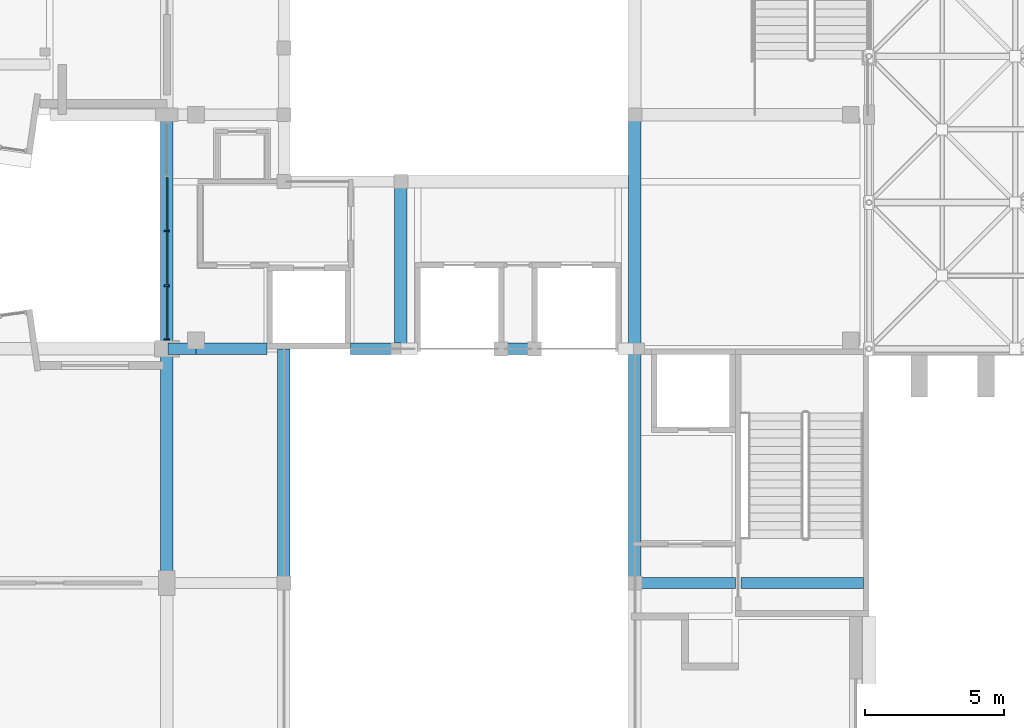
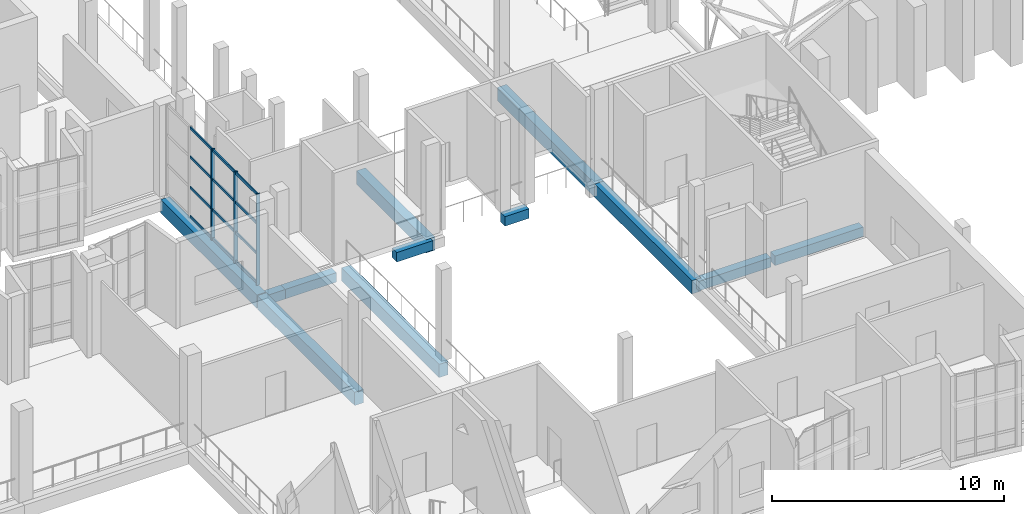
# One storey, part 6 of 100: 15 members, 12 beams, 1 element without a shape of its own.
"""IFC4 building model written with IfcOpenShell, lengths in metres."""

from ifc_helpers import new_model, si_unit, direction, frame, origin, origin_2d, place, context, subcontext, project, spatial, rectangle, extrude, material, layer, layer_set, material_profile, profile_set, type_object, element, aggregate, save


model = new_model("IFC4")

# Units and contexts
model_context = context("Model", 3, precision=1e-05, world=origin(), true_north=direction((0.0, 1.0)))
body_context = subcontext(model_context, "Body", "Model", "MODEL_VIEW")
ifc_project = project(units=[si_unit("LENGTHUNIT", "METRE"), si_unit("AREAUNIT", "SQUARE_METRE"), si_unit("VOLUMEUNIT", "CUBIC_METRE"), si_unit("PLANEANGLEUNIT", "RADIAN"), si_unit("MASSUNIT", "GRAM", prefix="KILO")], contexts=[model_context])

# Site, building, storey
site_placement = place(None, origin())
site = spatial("IfcSite", under=ifc_project, at=site_placement, CompositionType="ELEMENT")
building_placement = place(site_placement, origin())
building = spatial("IfcBuilding", under=site, at=building_placement, Name="Kiln Court Media Centre", CompositionType="ELEMENT")
storey_placement = place(building_placement, frame((0.0, 0.0, 15.0)))
storey = spatial("IfcBuildingStorey", under=building, at=storey_placement, Name="L03", CompositionType="ELEMENT", Elevation=15.0)

# Curtain wall, members
ifc_material_1 = material(Name="Aluminium 6063-T6", Category="aluminium")
ifc_layer = layer(ifc_material_1, 0.1201171875)
ifc_layer_set = layer_set([ifc_layer], Name="Aluminium stick curtain wall, gallery")
curtain_wall_type = type_object("IfcCurtainWallType", Name="Aluminium stick curtain wall, gallery", PredefinedType="USERDEFINED", material=ifc_layer_set)
curtain_wall_placement = place(storey_placement, origin())
curtain_wall = element("IfcCurtainWall", 1, at=curtain_wall_placement, inside=storey, type_object=curtain_wall_type, Name="Foyer west glazing L03", ObjectType="STICK CURTAIN WALL", PredefinedType="USERDEFINED")
ifc_material_2 = material(Name="Aluminium 6063-T6", Category="aluminium")
ifc_material_profile_1 = material_profile(ifc_material_2, rectangle(XDim=0.06005859375, YDim=0.179931640625, at=origin_2d()), Name="Aluminium hall mullion 60x180")
ifc_profile_set_1 = profile_set([ifc_material_profile_1], Name="Aluminium 6063-T6")
member_type_1 = type_object("IfcMemberType", Name="Aluminium hall mullion 60x180", PredefinedType="MULLION", material=ifc_profile_set_1)
member_1_placement = place(storey_placement, frame((33.60009765625, 25.530029296875, 0.0), z_axis=(0.0, 0.0, 1.0), x_axis=(0.0, 1.0, 0.0)))
member_1 = element("IfcMember", 2, at=member_1_placement, type_object=member_type_1, Name="CW3-62 mullion 1", PredefinedType="MULLION", context=body_context, shape_type="SweptSolid", body=[
    extrude(rectangle(XDim=0.06005859375, YDim=0.179931640625, at=origin_2d()), origin(), (0.0, 0.0, 1.0), 4.800048828125),
])
member_2_placement = place(storey_placement, frame((33.60009765625, 27.46240234375, 0.0), z_axis=(0.0, 0.0, 1.0), x_axis=(0.0, 1.0, 0.0)))
member_2 = element("IfcMember", 3, at=member_2_placement, type_object=member_type_1, Name="CW3-62 mullion 2", PredefinedType="MULLION", context=body_context, shape_type="SweptSolid", body=[
    extrude(rectangle(XDim=0.06005859375, YDim=0.179931640625, at=origin_2d()), origin(), (0.0, 0.0, 1.0), 4.800048828125),
])
member_3_placement = place(storey_placement, frame((33.60009765625, 29.425048828125, 0.0), z_axis=(0.0, 0.0, 1.0), x_axis=(0.0, 1.0, 0.0)))
member_3 = element("IfcMember", 4, at=member_3_placement, type_object=member_type_1, Name="CW3-62 mullion 3", PredefinedType="MULLION", context=body_context, shape_type="SweptSolid", body=[
    extrude(rectangle(XDim=0.06005859375, YDim=0.179931640625, at=origin_2d()), origin(), (0.0, 0.0, 1.0), 4.800048828125),
])
ifc_material_3 = material(Name="Aluminium 6063-T6", Category="aluminium")
ifc_material_profile_2 = material_profile(ifc_material_3, rectangle(XDim=0.06005859375, YDim=0.139892578125, at=origin_2d()), Name="Aluminium hall transom 60x140")
ifc_profile_set_2 = profile_set([ifc_material_profile_2], Name="Aluminium 6063-T6")
member_type_2 = type_object("IfcMemberType", Name="Aluminium hall transom 60x140", PredefinedType="USERDEFINED", material=ifc_profile_set_2)
member_4_placement = place(storey_placement, frame((33.60009765625, 25.56005859375, 0.070068359375), z_axis=(0.0, 1.0, 0.0), x_axis=(-1.0, 0.0, 0.0)))
member_4 = element("IfcMember", 5, at=member_4_placement, type_object=member_type_2, Name="CW3-62 transom 1.1", ObjectType="TRANSOM", PredefinedType="USERDEFINED", context=body_context, shape_type="SweptSolid", body=[
    extrude(rectangle(XDim=0.06005859375, YDim=0.139892578125, at=origin_2d()), origin(), (0.0, 0.0, 1.0), 1.87255859375),
])
member_5_placement = place(storey_placement, frame((33.60009765625, 25.56005859375, 1.60009765625), z_axis=(0.0, 1.0, 0.0), x_axis=(-1.0, 0.0, 0.0)))
member_5 = element("IfcMember", 6, at=member_5_placement, type_object=member_type_2, Name="CW3-62 transom 1.2", ObjectType="TRANSOM", PredefinedType="USERDEFINED", context=body_context, shape_type="SweptSolid", body=[
    extrude(rectangle(XDim=0.06005859375, YDim=0.139892578125, at=origin_2d()), origin(), (0.0, 0.0, 1.0), 1.87255859375),
])
member_6_placement = place(storey_placement, frame((33.60009765625, 25.56005859375, 3.199951171875), z_axis=(0.0, 1.0, 0.0), x_axis=(-1.0, 0.0, 0.0)))
member_6 = element("IfcMember", 7, at=member_6_placement, type_object=member_type_2, Name="CW3-62 transom 1.3", ObjectType="TRANSOM", PredefinedType="USERDEFINED", context=body_context, shape_type="SweptSolid", body=[
    extrude(rectangle(XDim=0.06005859375, YDim=0.139892578125, at=origin_2d()), origin(), (0.0, 0.0, 1.0), 1.87255859375),
])
member_7_placement = place(storey_placement, frame((33.60009765625, 25.56005859375, 4.72998046875), z_axis=(0.0, 1.0, 0.0), x_axis=(-1.0, 0.0, 0.0)))
member_7 = element("IfcMember", 8, at=member_7_placement, type_object=member_type_2, Name="CW3-62 transom 1.4", ObjectType="TRANSOM", PredefinedType="USERDEFINED", context=body_context, shape_type="SweptSolid", body=[
    extrude(rectangle(XDim=0.06005859375, YDim=0.139892578125, at=origin_2d()), origin(), (0.0, 0.0, 1.0), 1.87255859375),
])
member_8_placement = place(storey_placement, frame((33.60009765625, 27.492431640625, 0.070068359375), z_axis=(0.0, 1.0, 0.0), x_axis=(-1.0, 0.0, 0.0)))
member_8 = element("IfcMember", 9, at=member_8_placement, type_object=member_type_2, Name="CW3-62 transom 2.1", ObjectType="TRANSOM", PredefinedType="USERDEFINED", context=body_context, shape_type="SweptSolid", body=[
    extrude(rectangle(XDim=0.06005859375, YDim=0.139892578125, at=origin_2d()), origin(), (0.0, 0.0, 1.0), 1.902587890625),
])
member_9_placement = place(storey_placement, frame((33.60009765625, 27.492431640625, 1.60009765625), z_axis=(0.0, 1.0, 0.0), x_axis=(-1.0, 0.0, 0.0)))
member_9 = element("IfcMember", 10, at=member_9_placement, type_object=member_type_2, Name="CW3-62 transom 2.2", ObjectType="TRANSOM", PredefinedType="USERDEFINED", context=body_context, shape_type="SweptSolid", body=[
    extrude(rectangle(XDim=0.06005859375, YDim=0.139892578125, at=origin_2d()), origin(), (0.0, 0.0, 1.0), 1.902587890625),
])
member_10_placement = place(storey_placement, frame((33.60009765625, 27.492431640625, 3.199951171875), z_axis=(0.0, 1.0, 0.0), x_axis=(-1.0, 0.0, 0.0)))
member_10 = element("IfcMember", 11, at=member_10_placement, type_object=member_type_2, Name="CW3-62 transom 2.3", ObjectType="TRANSOM", PredefinedType="USERDEFINED", context=body_context, shape_type="SweptSolid", body=[
    extrude(rectangle(XDim=0.06005859375, YDim=0.139892578125, at=origin_2d()), origin(), (0.0, 0.0, 1.0), 1.902587890625),
])
member_11_placement = place(storey_placement, frame((33.60009765625, 27.492431640625, 4.72998046875), z_axis=(0.0, 1.0, 0.0), x_axis=(-1.0, 0.0, 0.0)))
member_11 = element("IfcMember", 12, at=member_11_placement, type_object=member_type_2, Name="CW3-62 transom 2.4", ObjectType="TRANSOM", PredefinedType="USERDEFINED", context=body_context, shape_type="SweptSolid", body=[
    extrude(rectangle(XDim=0.06005859375, YDim=0.139892578125, at=origin_2d()), origin(), (0.0, 0.0, 1.0), 1.902587890625),
])
member_12_placement = place(storey_placement, frame((33.60009765625, 29.455078125, 0.070068359375), z_axis=(0.0, 1.0, 0.0), x_axis=(-1.0, 0.0, 0.0)))
member_12 = element("IfcMember", 13, at=member_12_placement, type_object=member_type_2, Name="CW3-62 transom 3.1", ObjectType="TRANSOM", PredefinedType="USERDEFINED", context=body_context, shape_type="SweptSolid", body=[
    extrude(rectangle(XDim=0.06005859375, YDim=0.139892578125, at=origin_2d()), origin(), (0.0, 0.0, 1.0), 1.90234375),
])
member_13_placement = place(storey_placement, frame((33.60009765625, 29.455078125, 1.60009765625), z_axis=(0.0, 1.0, 0.0), x_axis=(-1.0, 0.0, 0.0)))
member_13 = element("IfcMember", 14, at=member_13_placement, type_object=member_type_2, Name="CW3-62 transom 3.2", ObjectType="TRANSOM", PredefinedType="USERDEFINED", context=body_context, shape_type="SweptSolid", body=[
    extrude(rectangle(XDim=0.06005859375, YDim=0.139892578125, at=origin_2d()), origin(), (0.0, 0.0, 1.0), 1.90234375),
])
member_14_placement = place(storey_placement, frame((33.60009765625, 29.455078125, 3.199951171875), z_axis=(0.0, 1.0, 0.0), x_axis=(-1.0, 0.0, 0.0)))
member_14 = element("IfcMember", 15, at=member_14_placement, type_object=member_type_2, Name="CW3-62 transom 3.3", ObjectType="TRANSOM", PredefinedType="USERDEFINED", context=body_context, shape_type="SweptSolid", body=[
    extrude(rectangle(XDim=0.06005859375, YDim=0.139892578125, at=origin_2d()), origin(), (0.0, 0.0, 1.0), 1.90234375),
])
member_15_placement = place(storey_placement, frame((33.60009765625, 29.455078125, 4.72998046875), z_axis=(0.0, 1.0, 0.0), x_axis=(-1.0, 0.0, 0.0)))
member_15 = element("IfcMember", 16, at=member_15_placement, type_object=member_type_2, Name="CW3-62 transom 3.4", ObjectType="TRANSOM", PredefinedType="USERDEFINED", context=body_context, shape_type="SweptSolid", body=[
    extrude(rectangle(XDim=0.06005859375, YDim=0.139892578125, at=origin_2d()), origin(), (0.0, 0.0, 1.0), 1.90234375),
])
aggregate(curtain_wall, [member_1, member_2, member_3, member_4, member_5, member_6, member_7, member_8, member_9, member_10, member_11, member_12, member_13, member_14, member_15])

# Beams
ifc_material_4 = material(Name="Concrete C30/37", Category="concrete")
ifc_material_profile_3 = material_profile(ifc_material_4, rectangle(XDim=0.39990234375, YDim=0.5, at=origin_2d()), Name="RC 400x500")
ifc_profile_set_3 = profile_set([ifc_material_profile_3], Name="Concrete C30/37")
beam_type_1 = type_object("IfcBeamType", Name="Concrete C30/37 beam 400x500", PredefinedType="BEAM", material=ifc_profile_set_3)
beam_1_placement = place(storey_placement, frame((50.39990234375, 16.800048828125, -0.550048828125), z_axis=(1.0, 0.0, 0.0), x_axis=(0.0, 1.0, 0.0)))
element("IfcBeam", 17, at=beam_1_placement, inside=storey, type_object=beam_type_1, Name="L03-B-1041", PredefinedType="BEAM", context=body_context, shape_type="SweptSolid", body=[
    extrude(rectangle(XDim=0.39990234375, YDim=0.5, at=origin_2d()), origin(), (0.0, 0.0, 1.0), 3.60009765625),
])
beam_2_placement = place(storey_placement, frame((54.199951171875, 16.800048828125, -0.550048828125), z_axis=(1.0, 0.0, 0.0), x_axis=(0.0, 1.0, 0.0)))
element("IfcBeam", 18, at=beam_2_placement, inside=storey, type_object=beam_type_1, Name="L03-B-1042", PredefinedType="BEAM", context=body_context, shape_type="SweptSolid", body=[
    extrude(rectangle(XDim=0.39990234375, YDim=0.5, at=origin_2d()), origin(), (0.0, 0.0, 1.0), 4.400146484375),
])
beam_3_placement = place(storey_placement, frame((33.64990234375, 25.199951171875, -0.550048828125), z_axis=(1.0, 0.0, 0.0), x_axis=(0.0, 1.0, 0.0)))
element("IfcBeam", 19, at=beam_3_placement, inside=storey, type_object=beam_type_1, Name="L03-B-1043", PredefinedType="BEAM", context=body_context, shape_type="SweptSolid", body=[
    extrude(rectangle(XDim=0.39990234375, YDim=0.5, at=origin_2d()), origin(), (0.0, 0.0, 1.0), 1.0),
])
beam_4_placement = place(storey_placement, frame((34.64990234375, 25.199951171875, -0.550048828125), z_axis=(1.0, 0.0, 0.0), x_axis=(0.0, 1.0, 0.0)))
element("IfcBeam", 20, at=beam_4_placement, inside=storey, type_object=beam_type_1, Name="L03-B-1044", PredefinedType="BEAM", context=body_context, shape_type="SweptSolid", body=[
    extrude(rectangle(XDim=0.39990234375, YDim=0.5, at=origin_2d()), origin(), (0.0, 0.0, 1.0), 2.550048828125),
])
beam_5_placement = place(storey_placement, frame((40.199951171875, 25.199951171875, -0.550048828125), z_axis=(1.0, 0.0, 0.0), x_axis=(0.0, 1.0, 0.0)))
element("IfcBeam", 21, at=beam_5_placement, inside=storey, type_object=beam_type_1, Name="L03-B-1073", PredefinedType="BEAM", context=body_context, shape_type="SweptSolid", body=[
    extrude(rectangle(XDim=0.39990234375, YDim=0.5, at=origin_2d()), origin(), (0.0, 0.0, 1.0), 1.800048828125),
])
beam_6_placement = place(storey_placement, frame((45.59912109375, 25.199951171875, -0.550048828125), z_axis=(1.0, 0.0, 0.0), x_axis=(0.0, 1.0, 0.0)))
element("IfcBeam", 22, at=beam_6_placement, inside=storey, type_object=beam_type_1, Name="L03-B-1075", PredefinedType="BEAM", context=body_context, shape_type="SweptSolid", body=[
    extrude(rectangle(XDim=0.39990234375, YDim=0.5, at=origin_2d()), origin(), (0.0, 0.0, 1.0), 1.201904296875),
])
ifc_material_5 = material(Name="Concrete C30/37", Category="concrete")
ifc_material_profile_4 = material_profile(ifc_material_5, rectangle(XDim=0.449951171875, YDim=0.699951171875, at=origin_2d()), Name="RC 450x700")
ifc_profile_set_4 = profile_set([ifc_material_profile_4], Name="Concrete C30/37")
beam_type_2 = type_object("IfcBeamType", Name="Concrete C30/37 beam 450x700", PredefinedType="BEAM", material=ifc_profile_set_4)
for number, where, z_axis, x_axis, name in (
    (23, (33.60009765625, 16.800048828125, -0.64990234375), (0.0, 1.0, 0.0), (-1.0, 0.0, 0.0), "L03-B-1009"),
    (24, (50.39990234375, 16.800048828125, -0.64990234375), (0.0, 1.0, 0.0), (-1.0, 0.0, 0.0), "L03-B-1031"),
    (25, (37.800048828125, 25.199951171875, -0.64990234375), (0.0, -1.0, 0.0), (1.0, 0.0, 0.0), "L03-B-1045"),
):
    element("IfcBeam", number, at=place(storey_placement, frame(where, z_axis=z_axis, x_axis=x_axis)), inside=storey, type_object=beam_type_2, Name=name, PredefinedType="BEAM", context=body_context, shape_type="SweptSolid", body=[
        extrude(rectangle(XDim=0.449951171875, YDim=0.699951171875, at=origin_2d()), origin(), (0.0, 0.0, 1.0), 8.39990234375),
    ])
beam_7_placement = place(storey_placement, frame((33.60009765625, 25.25, -0.64990234375), z_axis=(0.0, 1.0, 0.0), x_axis=(-1.0, 0.0, 0.0)))
element("IfcBeam", 26, at=beam_7_placement, inside=storey, type_object=beam_type_2, Name="L03-B-1066", PredefinedType="BEAM", context=body_context, shape_type="SweptSolid", body=[
    extrude(rectangle(XDim=0.449951171875, YDim=0.699951171875, at=origin_2d()), origin(), (0.0, 0.0, 1.0), 8.300048828125),
])
beam_8_placement = place(storey_placement, frame((42.0, 25.199951171875, -0.64990234375), z_axis=(0.0, 1.0, 0.0), x_axis=(-1.0, 0.0, 0.0)))
element("IfcBeam", 27, at=beam_8_placement, inside=storey, type_object=beam_type_2, Name="L03-B-1069", PredefinedType="BEAM", context=body_context, shape_type="SweptSolid", body=[
    extrude(rectangle(XDim=0.449951171875, YDim=0.699951171875, at=origin_2d()), origin(), (0.0, 0.0, 1.0), 6.0009765625),
])
beam_9_placement = place(storey_placement, frame((50.39990234375, 25.199951171875, -0.64990234375), z_axis=(0.0, 1.0, 0.0), x_axis=(-1.0, 0.0, 0.0)))
element("IfcBeam", 28, at=beam_9_placement, inside=storey, type_object=beam_type_2, Name="L03-B-1070", PredefinedType="BEAM", context=body_context, shape_type="SweptSolid", body=[
    extrude(rectangle(XDim=0.449951171875, YDim=0.699951171875, at=origin_2d()), origin(), (0.0, 0.0, 1.0), 8.400146484375),
])

save(model, "model.ifc")
